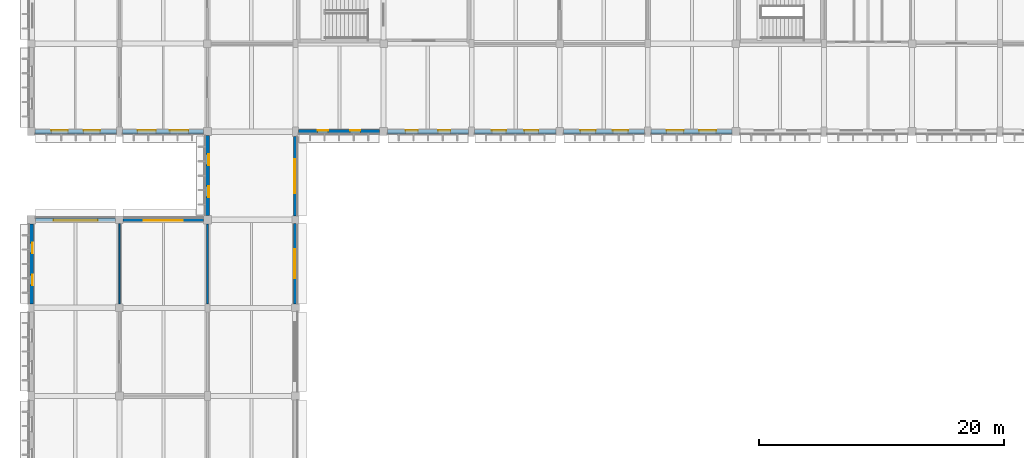
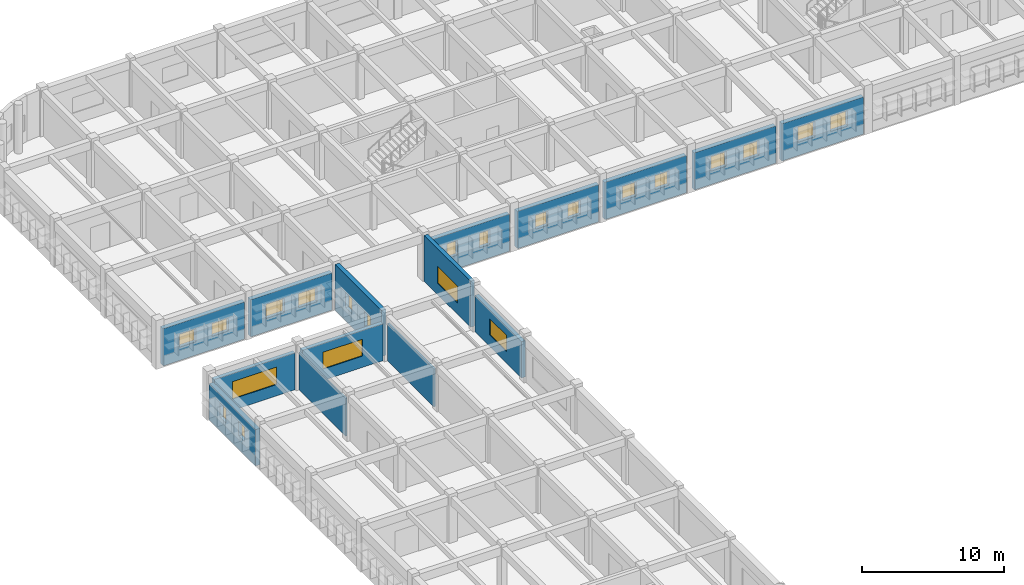
# One storey, part 23 of 38: 22 windows, 15 walls, 22 openings.
"""IFC4 building model written with IfcOpenShell, lengths in metres."""

import ifcopenshell
import ifcopenshell.guid

model = None  # the IFC model being written
_history = None  # IfcOwnerHistory: only IFC2X3 demands one
_inside = {}  # id of a spatial element -> (the spatial element, [elements in it])
_under = {}  # id of a project, library or spatial element -> (it, [spatial elements below it])
_declared = {}  # id of a project -> (the project, [libraries it declares])
_typed = {}  # id of a type object -> (the type object, [elements of that type])
_made_of = {}  # id of a material, layer set ... -> (it, [elements and type objects made of it])


def new_model(schema):
    """Start an empty IFC model of exactly this schema.

    Asked for "IFC4X3", IfcOpenShell would pick the latest addendum, in which some entities
    have other attributes; the version numbers below select the first issue.
    IFC2X3 requires an IfcOwnerHistory on every rooted entity: one is made here for all.
    """
    global model, _history
    if schema == "IFC4X3":
        model = ifcopenshell.file(schema_version=(4, 3, 0, 0))
    else:
        model = ifcopenshell.file(schema=schema)
    _inside.clear()
    _under.clear()
    _declared.clear()
    _typed.clear()
    _made_of.clear()
    _history = None
    if model.schema == "IFC2X3":
        org = make("IfcOrganization", Name="unknown")
        user = make(
            "IfcPersonAndOrganization",
            ThePerson=make("IfcPerson", FamilyName="unknown"),
            TheOrganization=org,
        )
        app = make(
            "IfcApplication",
            ApplicationDeveloper=org,
            Version="unknown",
            ApplicationFullName="unknown",
            ApplicationIdentifier="unknown",
        )
        _history = make(
            "IfcOwnerHistory",
            OwningUser=user,
            OwningApplication=app,
            ChangeAction="ADDED",
            CreationDate=0,
        )
    return model


def make(cls, **values):
    """One entity of the class cls with the attributes given. An attribute that is None is left unset."""
    return model.create_entity(
        cls, **{name: value for name, value in values.items() if value is not None}
    )


def rooted(cls, **values):
    """An entity with a GlobalId (a new one), such as an element, a storey or a relation."""
    return make(cls, GlobalId=ifcopenshell.guid.new(), OwnerHistory=_history, **values)


def si_unit(unit_type, name, prefix=None):
    """IfcSIUnit, for example si_unit("LENGTHUNIT", "METRE", prefix="MILLI")."""
    return make("IfcSIUnit", UnitType=unit_type, Prefix=prefix, Name=name)


def assignment(units):
    """IfcUnitAssignment: the units of a project."""
    return None if units is None else make("IfcUnitAssignment", Units=units)


def point(xyz):
    """IfcCartesianPoint."""
    return None if xyz is None else make("IfcCartesianPoint", Coordinates=xyz)


def direction(xyz):
    """IfcDirection."""
    return None if xyz is None else make("IfcDirection", DirectionRatios=xyz)


def frame(location, z_axis=None, x_axis=None):
    """IfcAxis2Placement3D, a coordinate frame: its origin and axes. An axis left out is left unset."""
    return make(
        "IfcAxis2Placement3D",
        Location=point(location),
        Axis=direction(z_axis),
        RefDirection=direction(x_axis),
    )


def frame_2d(location, x_axis=None):
    """IfcAxis2Placement2D, a coordinate frame in the plane: its origin and x axis."""
    return make(
        "IfcAxis2Placement2D", Location=point(location), RefDirection=direction(x_axis)
    )


def origin():
    """The frame at (0, 0, 0) with its axes left unset."""
    return frame((0.0, 0.0, 0.0))


def place(relative_to, where):
    """IfcLocalPlacement: puts the frame where relative to a parent placement (None: the world)."""
    return make(
        "IfcLocalPlacement", PlacementRelTo=relative_to, RelativePlacement=where
    )


def context(
    kind, dimensions, precision=None, world=None, true_north=None, identifier=None
):
    """IfcGeometricRepresentationContext, for example the 3D "Model" context."""
    return make(
        "IfcGeometricRepresentationContext",
        ContextIdentifier=identifier,
        ContextType=kind,
        CoordinateSpaceDimension=dimensions,
        Precision=precision,
        WorldCoordinateSystem=world,
        TrueNorth=true_north,
    )


def subcontext(parent, identifier, kind, view, scale=None):
    """IfcGeometricRepresentationSubContext, for example "Body" below "Model"."""
    return make(
        "IfcGeometricRepresentationSubContext",
        ContextIdentifier=identifier,
        ContextType=kind,
        ParentContext=parent,
        TargetScale=scale,
        TargetView=view,
    )


def project(units=None, contexts=None):
    """IfcProject with its units and contexts."""
    return rooted(
        "IfcProject",
        Name="project",
        RepresentationContexts=contexts,
        UnitsInContext=assignment(units),
    )


def spatial(cls, under=None, at=None, **own):
    """A site, building, storey or space (cls), placed at a placement, below another one or the project."""
    s = rooted(cls, ObjectPlacement=at, **own)
    if under is not None:
        _under.setdefault(under.id(), (under, []))[1].append(s)
    return s


def profile(cls, at=None, kind="AREA", **sizes):
    """A parametric profile (cls). Its sizes go by their IFC names, for example OverallWidth=200.0."""
    return make(cls, ProfileType=kind, Position=at, **sizes)


def rectangle(**sizes):
    """IfcRectangleProfileDef."""
    return profile("IfcRectangleProfileDef", **sizes)


def extrude(swept, where, along, depth):
    """IfcExtrudedAreaSolid: the profile swept, set in the frame where, extruded along a direction by depth."""
    return make(
        "IfcExtrudedAreaSolid",
        SweptArea=swept,
        Position=where,
        ExtrudedDirection=direction(along),
        Depth=depth,
    )


def shape(context_of_items, identifier, shape_type, items):
    """IfcShapeRepresentation: the items that make up one representation, for example the "Body"."""
    return make(
        "IfcShapeRepresentation",
        ContextOfItems=context_of_items,
        RepresentationIdentifier=identifier,
        RepresentationType=shape_type,
        Items=items,
    )


def material(Name=None, Category=None):
    """IfcMaterial."""
    return make("IfcMaterial", Name=Name, Category=Category)


def layer(
    of_material, thickness, ventilated=None, Name=None, Category=None, Priority=None
):
    """IfcMaterialLayer: one layer of a wall or slab, of a material (None: an air gap)."""
    return make(
        "IfcMaterialLayer",
        Material=of_material,
        LayerThickness=thickness,
        IsVentilated=ventilated,
        Name=Name,
        Category=Category,
        Priority=Priority,
    )


def layer_set(layers, Name=None):
    """IfcMaterialLayerSet."""
    return make("IfcMaterialLayerSet", MaterialLayers=layers, LayerSetName=Name)


def made_of(thing, what):
    """Note that an element or type object is made of a material, layer set ...; save() writes the relation."""
    if what is not None:
        _made_of.setdefault(what.id(), (what, []))[1].append(thing)
    return thing


def type_object(cls, material=None, **own):
    """A type object (cls), such as IfcWallType, which elements share."""
    return made_of(rooted(cls, **own), material)


def element(
    cls,
    number,
    at=None,
    inside=None,
    cuts=None,
    type_object=None,
    material=None,
    context=None,
    identifier="Body",
    shape_type=None,
    held_by="IfcProductDefinitionShape",
    body=None,
    shapes=None,
    **own,
):
    """One element of the class cls, such as IfcWall. Its Tag is "e" and its number.

    at: its placement. inside: the storey or other place that contains it. cuts: it is an
    opening in that element (IfcRelVoidsElement). A single representation is given by context,
    identifier, shape_type and body (its items); several are given by shapes. held_by: the class
    of the entity that holds the representations. save() writes the other relations.
    """
    e = rooted(cls, Tag="e%d" % number, ObjectPlacement=at, **own)
    if body is not None:
        shapes = [shape(context, identifier, shape_type, body)]
    if shapes is not None:
        e.Representation = make(held_by, Representations=shapes)
    if inside is not None:
        _inside.setdefault(inside.id(), (inside, []))[1].append(e)
    if cuts is not None:
        rooted(
            "IfcRelVoidsElement", RelatingBuildingElement=cuts, RelatedOpeningElement=e
        )
    if type_object is not None:
        _typed.setdefault(type_object.id(), (type_object, []))[1].append(e)
    return made_of(e, material)


def fill(opening, filler):
    """IfcRelFillsElement: the door or window that sits in an opening."""
    return rooted(
        "IfcRelFillsElement",
        RelatingOpeningElement=opening,
        RelatedBuildingElement=filler,
    )


def aggregate(whole, parts):
    """IfcRelAggregates: a whole, such as a stair, and the parts it consists of."""
    return rooted("IfcRelAggregates", RelatingObject=whole, RelatedObjects=parts)


def save(model, path):
    """Write the relations noted so far, then the file.

    IfcRelAggregates (storeys below a building ...), IfcRelContainedInSpatialStructure (elements
    in a storey), IfcRelDefinesByType, IfcRelAssociatesMaterial and IfcRelDeclares: one each for
    every whole, place, type object, material and project.
    """
    for whole, parts in _under.values():
        aggregate(whole, parts)
    for where, things in _inside.values():
        rooted(
            "IfcRelContainedInSpatialStructure",
            RelatedElements=things,
            RelatingStructure=where,
        )
    for kind, things in _typed.values():
        rooted("IfcRelDefinesByType", RelatedObjects=things, RelatingType=kind)
    for what, things in _made_of.values():
        rooted("IfcRelAssociatesMaterial", RelatedObjects=things, RelatingMaterial=what)
    for by, libraries in _declared.values():
        rooted("IfcRelDeclares", RelatingContext=by, RelatedDefinitions=libraries)
    model.write(path)


model = new_model("IFC4")

# Units and contexts
model_context = context("Model", 3, precision=1e-05, world=origin(), true_north=direction((0.0, 1.0)))
body_context = subcontext(model_context, "Body", "Model", "MODEL_VIEW")
ifc_project = project(units=[si_unit("LENGTHUNIT", "METRE"), si_unit("AREAUNIT", "SQUARE_METRE"), si_unit("VOLUMEUNIT", "CUBIC_METRE"), si_unit("PLANEANGLEUNIT", "RADIAN"), si_unit("MASSUNIT", "GRAM", prefix="KILO")], contexts=[model_context])

# Site, building, storey
site_placement = place(None, origin())
site = spatial("IfcSite", under=ifc_project, at=site_placement, CompositionType="ELEMENT")
building_placement = place(site_placement, origin())
building = spatial("IfcBuilding", under=site, at=building_placement, Name="Thalmaran Polytechnic", CompositionType="ELEMENT")
storey_placement = place(building_placement, frame((0.0, 0.0, 18.60009765625)))
storey = spatial("IfcBuildingStorey", under=building, at=storey_placement, Name="L04", CompositionType="ELEMENT", Elevation=18.60009765625)

# Wall, openings, windows
ifc_material_1 = material(Name="Precast concrete C40/50", Category="concrete")
ifc_layer_1 = layer(ifc_material_1, 0.360107421875, Name="Precast concrete C40/50")
ifc_layer_set_1 = layer_set([ifc_layer_1], Name="Precast concrete C40/50")
wall_type_1 = type_object("IfcWallType", Name="WL-EW01", PredefinedType="STANDARD", material=ifc_layer_set_1)
wall_1_placement = place(storey_placement, frame((0.0, 79.52001953125, 0.0), z_axis=(0.0, 0.0, 1.0), x_axis=(0.0, 1.0, 0.0)))
wall_1 = element("IfcWall", 1, at=wall_1_placement, inside=storey, type_object=wall_type_1, Name="Exterior Precast Facade Wall L04-036", PredefinedType="STANDARD", context=body_context, shape_type="SweptSolid", body=[
    extrude(rectangle(XDim=6.5400390625, YDim=0.360107421875, at=frame_2d((3.27001953125, 0.0))), origin(), (0.0, 0.0, 1.0), 3.1298828125),
])
opening_1_placement = place(wall_1_placement, frame((1.537109375, 0.0, 1.14990234375)))
opening_1 = element("IfcOpeningElement", 2, at=opening_1_placement, cuts=wall_1, Name="Opening VW14", PredefinedType="OPENING", context=body_context, shape_type="SweptSolid", body=[
    extrude(rectangle(XDim=0.85009765625, YDim=1.25, at=frame_2d((0.425048828125, 0.625))), frame((0.0, 0.18994140625, 0.0), z_axis=(0.0, -1.0, 0.0), x_axis=(1.0, 0.0, 0.0)), (0.0, 0.0, 1.0), 0.380126953125),
])
opening_2_placement = place(wall_1_placement, frame((4.153076171875, 0.0, 1.14990234375)))
opening_2 = element("IfcOpeningElement", 3, at=opening_2_placement, cuts=wall_1, Name="Opening VW14", PredefinedType="OPENING", context=body_context, shape_type="SweptSolid", body=[
    extrude(rectangle(XDim=0.85009765625, YDim=1.25, at=frame_2d((0.425048828125, 0.625))), frame((0.0, 0.18994140625, 0.0), z_axis=(0.0, -1.0, 0.0), x_axis=(1.0, 0.0, 0.0)), (0.0, 0.0, 1.0), 0.380126953125),
])
ifc_material_2 = material(Name="Thermally broken aluminium and double low-E glass", Category="aluminium")
window_type_1 = type_object("IfcWindowType", Name="WN-VZ14", PartitioningType="SINGLE_PANEL", PredefinedType="WINDOW", material=ifc_material_2)
window_1_placement = place(opening_1_placement, origin())
window_1 = element("IfcWindow", 4, at=window_1_placement, inside=storey, type_object=window_type_1, Name="Deep-Set Solar-Screened Window W-0568", OverallHeight=1.25, OverallWidth=0.85009765625, PartitioningType="SINGLE_PANEL", PredefinedType="WINDOW", context=body_context, shape_type="SweptSolid", body=[
    extrude(rectangle(XDim=0.85009765625, YDim=1.25, at=frame_2d((0.425048828125, 0.625))), frame((0.0, -0.080078125, 0.0), z_axis=(0.0, -1.0, 0.0), x_axis=(1.0, 0.0, 0.0)), (0.0, 0.0, 1.0), 0.06005859375),
])
fill(opening_1, window_1)
window_2_placement = place(opening_2_placement, origin())
window_2 = element("IfcWindow", 5, at=window_2_placement, inside=storey, type_object=window_type_1, Name="Deep-Set Solar-Screened Window W-0569", OverallHeight=1.25, OverallWidth=0.85009765625, PartitioningType="SINGLE_PANEL", PredefinedType="WINDOW", context=body_context, shape_type="SweptSolid", body=[
    extrude(rectangle(XDim=0.85009765625, YDim=1.25, at=frame_2d((0.425048828125, 0.625))), frame((0.0, -0.080078125, 0.0), z_axis=(0.0, -1.0, 0.0), x_axis=(1.0, 0.0, 0.0)), (0.0, 0.0, 1.0), 0.06005859375),
])
fill(opening_2, window_2)

wall_2_placement = place(storey_placement, frame((14.39990234375, 86.739990234375, 0.0), z_axis=(0.0, 0.0, 1.0), x_axis=(0.0, 1.0, 0.0)))
wall_2 = element("IfcWall", 6, at=wall_2_placement, inside=storey, type_object=wall_type_1, Name="Exterior Precast Facade Wall L04-039", PredefinedType="STANDARD", context=body_context, shape_type="SweptSolid", body=[
    extrude(rectangle(XDim=6.534912109375, YDim=0.360107421875, at=frame_2d((3.267578125, 0.0))), origin(), (0.0, 0.0, 1.0), 3.954833984375),
])
opening_3_placement = place(wall_2_placement, frame((1.510498046875, 0.0, 1.14990234375)))
opening_3 = element("IfcOpeningElement", 7, at=opening_3_placement, cuts=wall_2, Name="Opening PW13", PredefinedType="OPENING", context=body_context, shape_type="SweptSolid", body=[
    extrude(rectangle(XDim=0.89990234375, YDim=1.300048828125, at=frame_2d((0.449951171875, 0.64990234375))), frame((0.0, 0.18994140625, 0.0), z_axis=(0.0, -1.0, 0.0), x_axis=(1.0, 0.0, 0.0)), (0.0, 0.0, 1.0), 0.380126953125),
])
opening_4_placement = place(wall_2_placement, frame((4.12451171875, 0.0, 1.14990234375)))
opening_4 = element("IfcOpeningElement", 8, at=opening_4_placement, cuts=wall_2, Name="Opening PW13", PredefinedType="OPENING", context=body_context, shape_type="SweptSolid", body=[
    extrude(rectangle(XDim=0.89990234375, YDim=1.300048828125, at=frame_2d((0.449951171875, 0.64990234375))), frame((0.0, 0.18994140625, 0.0), z_axis=(0.0, -1.0, 0.0), x_axis=(1.0, 0.0, 0.0)), (0.0, 0.0, 1.0), 0.380126953125),
])
window_type_2 = type_object("IfcWindowType", Name="WN-PW03", PartitioningType="SINGLE_PANEL", PredefinedType="WINDOW", material=ifc_material_2)
window_3_placement = place(opening_3_placement, origin())
window_3 = element("IfcWindow", 9, at=window_3_placement, inside=storey, type_object=window_type_2, Name="Deep-Set Solar-Screened Window W-0572", OverallHeight=1.300048828125, OverallWidth=0.89990234375, PartitioningType="SINGLE_PANEL", PredefinedType="WINDOW", context=body_context, shape_type="SweptSolid", body=[
    extrude(rectangle(XDim=0.89990234375, YDim=1.300048828125, at=frame_2d((0.449951171875, 0.64990234375))), frame((0.0, -0.080078125, 0.0), z_axis=(0.0, -1.0, 0.0), x_axis=(1.0, 0.0, 0.0)), (0.0, 0.0, 1.0), 0.06005859375),
])
fill(opening_3, window_3)
window_4_placement = place(opening_4_placement, origin())
window_4 = element("IfcWindow", 10, at=window_4_placement, inside=storey, type_object=window_type_2, Name="Deep-Set Solar-Screened Window W-0573", OverallHeight=1.300048828125, OverallWidth=0.89990234375, PartitioningType="SINGLE_PANEL", PredefinedType="WINDOW", context=body_context, shape_type="SweptSolid", body=[
    extrude(rectangle(XDim=0.89990234375, YDim=1.300048828125, at=frame_2d((0.449951171875, 0.64990234375))), frame((0.0, -0.080078125, 0.0), z_axis=(0.0, -1.0, 0.0), x_axis=(1.0, 0.0, 0.0)), (0.0, 0.0, 1.0), 0.06005859375),
])
fill(opening_4, window_4)

wall_3_placement = place(storey_placement, frame((14.074951171875, 93.60009765625, 0.0), z_axis=(0.0, 0.0, 1.0), x_axis=(-1.0, 0.0, 0.0)))
wall_3 = element("IfcWall", 11, at=wall_3_placement, inside=storey, type_object=wall_type_1, Name="Exterior Precast Facade Wall L04-040", PredefinedType="STANDARD", context=body_context, shape_type="SweptSolid", body=[
    extrude(rectangle(XDim=6.625, YDim=0.360107421875, at=frame_2d((3.3125, 0.0))), origin(), (0.0, 0.0, 1.0), 3.199951171875),
])
opening_5_placement = place(wall_3_placement, frame((1.237548828125, 0.0, 1.14990234375)))
opening_5 = element("IfcOpeningElement", 12, at=opening_5_placement, cuts=wall_3, Name="Opening PW14", PredefinedType="OPENING", context=body_context, shape_type="SweptSolid", body=[
    extrude(rectangle(XDim=1.5, YDim=1.199951171875, at=frame_2d((0.75, 0.60009765625))), frame((0.0, 0.18994140625, 0.0), z_axis=(0.0, -1.0, 0.0), x_axis=(1.0, 0.0, 0.0)), (0.0, 0.0, 1.0), 0.380126953125),
])
opening_6_placement = place(wall_3_placement, frame((3.887451171875, 0.0, 1.14990234375)))
opening_6 = element("IfcOpeningElement", 13, at=opening_6_placement, cuts=wall_3, Name="Opening PW14", PredefinedType="OPENING", context=body_context, shape_type="SweptSolid", body=[
    extrude(rectangle(XDim=1.5, YDim=1.199951171875, at=frame_2d((0.75, 0.60009765625))), frame((0.0, 0.18994140625, 0.0), z_axis=(0.0, -1.0, 0.0), x_axis=(1.0, 0.0, 0.0)), (0.0, 0.0, 1.0), 0.380126953125),
])
window_type_3 = type_object("IfcWindowType", Name="WN-PW04", PartitioningType="DOUBLE_PANEL_VERTICAL", PredefinedType="WINDOW", material=ifc_material_2)
window_5_placement = place(opening_5_placement, origin())
window_5 = element("IfcWindow", 14, at=window_5_placement, inside=storey, type_object=window_type_3, Name="Deep-Set Solar-Screened Window W-0574", OverallHeight=1.199951171875, OverallWidth=1.5, PartitioningType="SINGLE_PANEL", PredefinedType="WINDOW", context=body_context, shape_type="SweptSolid", body=[
    extrude(rectangle(XDim=1.5, YDim=1.199951171875, at=frame_2d((0.75, 0.60009765625))), frame((0.0, -0.080078125, 0.0), z_axis=(0.0, -1.0, 0.0), x_axis=(1.0, 0.0, 0.0)), (0.0, 0.0, 1.0), 0.06005859375),
])
fill(opening_5, window_5)
window_6_placement = place(opening_6_placement, origin())
window_6 = element("IfcWindow", 15, at=window_6_placement, inside=storey, type_object=window_type_3, Name="Deep-Set Solar-Screened Window W-0575", OverallHeight=1.199951171875, OverallWidth=1.5, PartitioningType="SINGLE_PANEL", PredefinedType="WINDOW", context=body_context, shape_type="SweptSolid", body=[
    extrude(rectangle(XDim=1.5, YDim=1.199951171875, at=frame_2d((0.75, 0.60009765625))), frame((0.0, -0.080078125, 0.0), z_axis=(0.0, -1.0, 0.0), x_axis=(1.0, 0.0, 0.0)), (0.0, 0.0, 1.0), 0.06005859375),
])
fill(opening_6, window_6)

wall_4_placement = place(storey_placement, frame((6.949951171875, 93.60009765625, 0.0), z_axis=(0.0, 0.0, 1.0), x_axis=(-1.0, 0.0, 0.0)))
wall_4 = element("IfcWall", 16, at=wall_4_placement, inside=storey, type_object=wall_type_1, Name="Exterior Precast Facade Wall L04-041", PredefinedType="STANDARD", context=body_context, shape_type="SweptSolid", body=[
    extrude(rectangle(XDim=6.625, YDim=0.360107421875, at=frame_2d((3.3125, 0.0))), origin(), (0.0, 0.0, 1.0), 3.199951171875),
])
opening_7_placement = place(wall_4_placement, frame((1.3125, 0.0, 1.14990234375)))
opening_7 = element("IfcOpeningElement", 17, at=opening_7_placement, cuts=wall_4, Name="Opening PW15", PredefinedType="OPENING", context=body_context, shape_type="SweptSolid", body=[
    extrude(rectangle(XDim=1.35009765625, YDim=1.10009765625, at=frame_2d((0.675048828125, 0.550048828125))), frame((0.0, 0.18994140625, 0.0), z_axis=(0.0, -1.0, 0.0), x_axis=(1.0, 0.0, 0.0)), (0.0, 0.0, 1.0), 0.380126953125),
])
opening_8_placement = place(wall_4_placement, frame((3.96240234375, 0.0, 1.14990234375)))
opening_8 = element("IfcOpeningElement", 18, at=opening_8_placement, cuts=wall_4, Name="Opening PW15", PredefinedType="OPENING", context=body_context, shape_type="SweptSolid", body=[
    extrude(rectangle(XDim=1.35009765625, YDim=1.10009765625, at=frame_2d((0.675048828125, 0.550048828125))), frame((0.0, 0.18994140625, 0.0), z_axis=(0.0, -1.0, 0.0), x_axis=(1.0, 0.0, 0.0)), (0.0, 0.0, 1.0), 0.380126953125),
])
window_type_4 = type_object("IfcWindowType", Name="WN-PW05", PartitioningType="SINGLE_PANEL", PredefinedType="WINDOW", material=ifc_material_2)
window_7_placement = place(opening_7_placement, origin())
window_7 = element("IfcWindow", 19, at=window_7_placement, inside=storey, type_object=window_type_4, Name="Deep-Set Solar-Screened Window W-0576", OverallHeight=1.10009765625, OverallWidth=1.35009765625, PartitioningType="SINGLE_PANEL", PredefinedType="WINDOW", context=body_context, shape_type="SweptSolid", body=[
    extrude(rectangle(XDim=1.35009765625, YDim=1.10009765625, at=frame_2d((0.675048828125, 0.550048828125))), frame((0.0, -0.080078125, 0.0), z_axis=(0.0, -1.0, 0.0), x_axis=(1.0, 0.0, 0.0)), (0.0, 0.0, 1.0), 0.06005859375),
])
fill(opening_7, window_7)
window_8_placement = place(opening_8_placement, origin())
window_8 = element("IfcWindow", 20, at=window_8_placement, inside=storey, type_object=window_type_4, Name="Deep-Set Solar-Screened Window W-0577", OverallHeight=1.10009765625, OverallWidth=1.35009765625, PartitioningType="SINGLE_PANEL", PredefinedType="WINDOW", context=body_context, shape_type="SweptSolid", body=[
    extrude(rectangle(XDim=1.35009765625, YDim=1.10009765625, at=frame_2d((0.675048828125, 0.550048828125))), frame((0.0, -0.080078125, 0.0), z_axis=(0.0, -1.0, 0.0), x_axis=(1.0, 0.0, 0.0)), (0.0, 0.0, 1.0), 0.06005859375),
])
fill(opening_8, window_8)

wall_5_placement = place(storey_placement, frame((57.27490234375, 93.60009765625, 0.0), z_axis=(0.0, 0.0, 1.0), x_axis=(-1.0, 0.0, 0.0)))
wall_5 = element("IfcWall", 21, at=wall_5_placement, inside=storey, type_object=wall_type_1, Name="Exterior Precast Facade Wall L04-074", PredefinedType="STANDARD", context=body_context, shape_type="SweptSolid", body=[
    extrude(rectangle(XDim=6.625, YDim=0.360107421875, at=frame_2d((3.3125, 0.0))), origin(), (0.0, 0.0, 1.0), 3.199951171875),
])
opening_9_placement = place(wall_5_placement, frame((1.28759765625, 0.0, 1.14990234375)))
opening_9 = element("IfcOpeningElement", 22, at=opening_9_placement, cuts=wall_5, Name="Opening VW10", PredefinedType="OPENING", context=body_context, shape_type="SweptSolid", body=[
    extrude(rectangle(XDim=1.39990234375, YDim=1.300048828125, at=frame_2d((0.699951171875, 0.64990234375))), frame((0.0, 0.18994140625, 0.0), z_axis=(0.0, -1.0, 0.0), x_axis=(1.0, 0.0, 0.0)), (0.0, 0.0, 1.0), 0.380126953125),
])
opening_10_placement = place(wall_5_placement, frame((3.9375, 0.0, 1.14990234375)))
opening_10 = element("IfcOpeningElement", 23, at=opening_10_placement, cuts=wall_5, Name="Opening VW10", PredefinedType="OPENING", context=body_context, shape_type="SweptSolid", body=[
    extrude(rectangle(XDim=1.39990234375, YDim=1.300048828125, at=frame_2d((0.699951171875, 0.64990234375))), frame((0.0, 0.18994140625, 0.0), z_axis=(0.0, -1.0, 0.0), x_axis=(1.0, 0.0, 0.0)), (0.0, 0.0, 1.0), 0.380126953125),
])
window_type_5 = type_object("IfcWindowType", Name="WN-VZ10", PartitioningType="SINGLE_PANEL", PredefinedType="WINDOW", material=ifc_material_2)
window_9_placement = place(opening_9_placement, origin())
window_9 = element("IfcWindow", 24, at=window_9_placement, inside=storey, type_object=window_type_5, Name="Deep-Set Solar-Screened Window W-0614", OverallHeight=1.300048828125, OverallWidth=1.39990234375, PartitioningType="SINGLE_PANEL", PredefinedType="WINDOW", context=body_context, shape_type="SweptSolid", body=[
    extrude(rectangle(XDim=1.39990234375, YDim=1.300048828125, at=frame_2d((0.699951171875, 0.64990234375))), frame((0.0, -0.080078125, 0.0), z_axis=(0.0, -1.0, 0.0), x_axis=(1.0, 0.0, 0.0)), (0.0, 0.0, 1.0), 0.06005859375),
])
fill(opening_9, window_9)
window_10_placement = place(opening_10_placement, origin())
window_10 = element("IfcWindow", 25, at=window_10_placement, inside=storey, type_object=window_type_5, Name="Deep-Set Solar-Screened Window W-0615", OverallHeight=1.300048828125, OverallWidth=1.39990234375, PartitioningType="SINGLE_PANEL", PredefinedType="WINDOW", context=body_context, shape_type="SweptSolid", body=[
    extrude(rectangle(XDim=1.39990234375, YDim=1.300048828125, at=frame_2d((0.699951171875, 0.64990234375))), frame((0.0, -0.080078125, 0.0), z_axis=(0.0, -1.0, 0.0), x_axis=(1.0, 0.0, 0.0)), (0.0, 0.0, 1.0), 0.06005859375),
])
fill(opening_10, window_10)

wall_6_placement = place(storey_placement, frame((50.14990234375, 93.60009765625, 0.0), z_axis=(0.0, 0.0, 1.0), x_axis=(-1.0, 0.0, 0.0)))
wall_6 = element("IfcWall", 26, at=wall_6_placement, inside=storey, type_object=wall_type_1, Name="Exterior Precast Facade Wall L04-075", PredefinedType="STANDARD", context=body_context, shape_type="SweptSolid", body=[
    extrude(rectangle(XDim=6.625, YDim=0.360107421875, at=frame_2d((3.3125, 0.0))), origin(), (0.0, 0.0, 1.0), 3.199951171875),
])
opening_11_placement = place(wall_6_placement, frame((1.362548828125, 0.0, 1.14990234375)))
opening_11 = element("IfcOpeningElement", 27, at=opening_11_placement, cuts=wall_6, Name="Opening VW11", PredefinedType="OPENING", context=body_context, shape_type="SweptSolid", body=[
    extrude(rectangle(XDim=1.25, YDim=1.25, at=frame_2d((0.625, 0.625))), frame((0.0, 0.18994140625, 0.0), z_axis=(0.0, -1.0, 0.0), x_axis=(1.0, 0.0, 0.0)), (0.0, 0.0, 1.0), 0.380126953125),
])
opening_12_placement = place(wall_6_placement, frame((4.012451171875, 0.0, 1.14990234375)))
opening_12 = element("IfcOpeningElement", 28, at=opening_12_placement, cuts=wall_6, Name="Opening VW11", PredefinedType="OPENING", context=body_context, shape_type="SweptSolid", body=[
    extrude(rectangle(XDim=1.25, YDim=1.25, at=frame_2d((0.625, 0.625))), frame((0.0, 0.18994140625, 0.0), z_axis=(0.0, -1.0, 0.0), x_axis=(1.0, 0.0, 0.0)), (0.0, 0.0, 1.0), 0.380126953125),
])
window_type_6 = type_object("IfcWindowType", Name="WN-VZ11", PartitioningType="SINGLE_PANEL", PredefinedType="WINDOW", material=ifc_material_2)
window_11_placement = place(opening_11_placement, origin())
window_11 = element("IfcWindow", 29, at=window_11_placement, inside=storey, type_object=window_type_6, Name="Deep-Set Solar-Screened Window W-0616", OverallHeight=1.25, OverallWidth=1.25, PartitioningType="SINGLE_PANEL", PredefinedType="WINDOW", context=body_context, shape_type="SweptSolid", body=[
    extrude(rectangle(XDim=1.25, YDim=1.25, at=frame_2d((0.625, 0.625))), frame((0.0, -0.080078125, 0.0), z_axis=(0.0, -1.0, 0.0), x_axis=(1.0, 0.0, 0.0)), (0.0, 0.0, 1.0), 0.06005859375),
])
fill(opening_11, window_11)
window_12_placement = place(opening_12_placement, origin())
window_12 = element("IfcWindow", 30, at=window_12_placement, inside=storey, type_object=window_type_6, Name="Deep-Set Solar-Screened Window W-0617", OverallHeight=1.25, OverallWidth=1.25, PartitioningType="SINGLE_PANEL", PredefinedType="WINDOW", context=body_context, shape_type="SweptSolid", body=[
    extrude(rectangle(XDim=1.25, YDim=1.25, at=frame_2d((0.625, 0.625))), frame((0.0, -0.080078125, 0.0), z_axis=(0.0, -1.0, 0.0), x_axis=(1.0, 0.0, 0.0)), (0.0, 0.0, 1.0), 0.06005859375),
])
fill(opening_12, window_12)

wall_7_placement = place(storey_placement, frame((42.875, 93.60009765625, 0.0), z_axis=(0.0, 0.0, 1.0), x_axis=(-1.0, 0.0, 0.0)))
wall_7 = element("IfcWall", 31, at=wall_7_placement, inside=storey, type_object=wall_type_1, Name="Exterior Precast Facade Wall L04-076", PredefinedType="STANDARD", context=body_context, shape_type="SweptSolid", body=[
    extrude(rectangle(XDim=6.625, YDim=0.360107421875, at=frame_2d((3.3125, 0.0))), origin(), (0.0, 0.0, 1.0), 3.199951171875),
])
opening_13_placement = place(wall_7_placement, frame((1.41259765625, 0.0, 1.14990234375)))
opening_13 = element("IfcOpeningElement", 32, at=opening_13_placement, cuts=wall_7, Name="Opening VW12", PredefinedType="OPENING", context=body_context, shape_type="SweptSolid", body=[
    extrude(rectangle(XDim=1.14990234375, YDim=1.199951171875, at=frame_2d((0.574951171875, 0.60009765625))), frame((0.0, 0.18994140625, 0.0), z_axis=(0.0, -1.0, 0.0), x_axis=(1.0, 0.0, 0.0)), (0.0, 0.0, 1.0), 0.380126953125),
])
opening_14_placement = place(wall_7_placement, frame((4.0625, 0.0, 1.14990234375)))
opening_14 = element("IfcOpeningElement", 33, at=opening_14_placement, cuts=wall_7, Name="Opening VW12", PredefinedType="OPENING", context=body_context, shape_type="SweptSolid", body=[
    extrude(rectangle(XDim=1.14990234375, YDim=1.199951171875, at=frame_2d((0.574951171875, 0.60009765625))), frame((0.0, 0.18994140625, 0.0), z_axis=(0.0, -1.0, 0.0), x_axis=(1.0, 0.0, 0.0)), (0.0, 0.0, 1.0), 0.380126953125),
])
window_type_7 = type_object("IfcWindowType", Name="WN-VZ12", PartitioningType="SINGLE_PANEL", PredefinedType="WINDOW", material=ifc_material_2)
window_13_placement = place(opening_13_placement, origin())
window_13 = element("IfcWindow", 34, at=window_13_placement, inside=storey, type_object=window_type_7, Name="Deep-Set Solar-Screened Window W-0618", OverallHeight=1.199951171875, OverallWidth=1.14990234375, PartitioningType="SINGLE_PANEL", PredefinedType="WINDOW", context=body_context, shape_type="SweptSolid", body=[
    extrude(rectangle(XDim=1.14990234375, YDim=1.199951171875, at=frame_2d((0.574951171875, 0.60009765625))), frame((0.0, -0.080078125, 0.0), z_axis=(0.0, -1.0, 0.0), x_axis=(1.0, 0.0, 0.0)), (0.0, 0.0, 1.0), 0.06005859375),
])
fill(opening_13, window_13)
window_14_placement = place(opening_14_placement, origin())
window_14 = element("IfcWindow", 35, at=window_14_placement, inside=storey, type_object=window_type_7, Name="Deep-Set Solar-Screened Window W-0619", OverallHeight=1.199951171875, OverallWidth=1.14990234375, PartitioningType="SINGLE_PANEL", PredefinedType="WINDOW", context=body_context, shape_type="SweptSolid", body=[
    extrude(rectangle(XDim=1.14990234375, YDim=1.199951171875, at=frame_2d((0.574951171875, 0.60009765625))), frame((0.0, -0.080078125, 0.0), z_axis=(0.0, -1.0, 0.0), x_axis=(1.0, 0.0, 0.0)), (0.0, 0.0, 1.0), 0.06005859375),
])
fill(opening_14, window_14)

wall_8_placement = place(storey_placement, frame((35.75, 93.60009765625, 0.0), z_axis=(0.0, 0.0, 1.0), x_axis=(-1.0, 0.0, 0.0)))
wall_8 = element("IfcWall", 36, at=wall_8_placement, inside=storey, type_object=wall_type_1, Name="Exterior Precast Facade Wall L04-077", PredefinedType="STANDARD", context=body_context, shape_type="SweptSolid", body=[
    extrude(rectangle(XDim=6.625, YDim=0.360107421875, at=frame_2d((3.3125, 0.0))), origin(), (0.0, 0.0, 1.0), 3.199951171875),
])
opening_15_placement = place(wall_8_placement, frame((1.487548828125, 0.0, 1.14990234375)))
opening_15 = element("IfcOpeningElement", 37, at=opening_15_placement, cuts=wall_8, Name="Opening VW13", PredefinedType="OPENING", context=body_context, shape_type="SweptSolid", body=[
    extrude(rectangle(XDim=1.0, YDim=1.199951171875, at=frame_2d((0.5, 0.60009765625))), frame((0.0, 0.18994140625, 0.0), z_axis=(0.0, -1.0, 0.0), x_axis=(1.0, 0.0, 0.0)), (0.0, 0.0, 1.0), 0.380126953125),
])
opening_16_placement = place(wall_8_placement, frame((4.137451171875, 0.0, 1.14990234375)))
opening_16 = element("IfcOpeningElement", 38, at=opening_16_placement, cuts=wall_8, Name="Opening VW13", PredefinedType="OPENING", context=body_context, shape_type="SweptSolid", body=[
    extrude(rectangle(XDim=1.0, YDim=1.199951171875, at=frame_2d((0.5, 0.60009765625))), frame((0.0, 0.18994140625, 0.0), z_axis=(0.0, -1.0, 0.0), x_axis=(1.0, 0.0, 0.0)), (0.0, 0.0, 1.0), 0.380126953125),
])
window_type_8 = type_object("IfcWindowType", Name="WN-VZ13", PartitioningType="SINGLE_PANEL", PredefinedType="WINDOW", material=ifc_material_2)
window_15_placement = place(opening_15_placement, origin())
window_15 = element("IfcWindow", 39, at=window_15_placement, inside=storey, type_object=window_type_8, Name="Deep-Set Solar-Screened Window W-0620", OverallHeight=1.199951171875, OverallWidth=1.0, PartitioningType="SINGLE_PANEL", PredefinedType="WINDOW", context=body_context, shape_type="SweptSolid", body=[
    extrude(rectangle(XDim=1.0, YDim=1.199951171875, at=frame_2d((0.5, 0.60009765625))), frame((0.0, -0.080078125, 0.0), z_axis=(0.0, -1.0, 0.0), x_axis=(1.0, 0.0, 0.0)), (0.0, 0.0, 1.0), 0.06005859375),
])
fill(opening_15, window_15)
window_16_placement = place(opening_16_placement, origin())
window_16 = element("IfcWindow", 40, at=window_16_placement, inside=storey, type_object=window_type_8, Name="Deep-Set Solar-Screened Window W-0621", OverallHeight=1.199951171875, OverallWidth=1.0, PartitioningType="SINGLE_PANEL", PredefinedType="WINDOW", context=body_context, shape_type="SweptSolid", body=[
    extrude(rectangle(XDim=1.0, YDim=1.199951171875, at=frame_2d((0.5, 0.60009765625))), frame((0.0, -0.080078125, 0.0), z_axis=(0.0, -1.0, 0.0), x_axis=(1.0, 0.0, 0.0)), (0.0, 0.0, 1.0), 0.06005859375),
])
fill(opening_16, window_16)

wall_9_placement = place(storey_placement, frame((28.47509765625, 93.60009765625, 0.0), z_axis=(0.0, 0.0, 1.0), x_axis=(-1.0, 0.0, 0.0)))
wall_9 = element("IfcWall", 41, at=wall_9_placement, inside=storey, type_object=wall_type_1, Name="Exterior Precast Facade Wall L04-078", PredefinedType="STANDARD", context=body_context, shape_type="SweptSolid", body=[
    extrude(rectangle(XDim=6.625, YDim=0.360107421875, at=frame_2d((3.3125, 0.0))), origin(), (0.0, 0.0, 1.0), 3.199951171875),
])
opening_17_placement = place(wall_9_placement, frame((1.5625, 0.0, 1.14990234375)))
opening_17 = element("IfcOpeningElement", 42, at=opening_17_placement, cuts=wall_9, Name="Opening VW14", PredefinedType="OPENING", context=body_context, shape_type="SweptSolid", body=[
    extrude(rectangle(XDim=0.85009765625, YDim=1.25, at=frame_2d((0.425048828125, 0.625))), frame((0.0, 0.18994140625, 0.0), z_axis=(0.0, -1.0, 0.0), x_axis=(1.0, 0.0, 0.0)), (0.0, 0.0, 1.0), 0.380126953125),
])
opening_18_placement = place(wall_9_placement, frame((4.21240234375, 0.0, 1.14990234375)))
opening_18 = element("IfcOpeningElement", 43, at=opening_18_placement, cuts=wall_9, Name="Opening VW14", PredefinedType="OPENING", context=body_context, shape_type="SweptSolid", body=[
    extrude(rectangle(XDim=0.85009765625, YDim=1.25, at=frame_2d((0.425048828125, 0.625))), frame((0.0, 0.18994140625, 0.0), z_axis=(0.0, -1.0, 0.0), x_axis=(1.0, 0.0, 0.0)), (0.0, 0.0, 1.0), 0.380126953125),
])
window_17_placement = place(opening_17_placement, origin())
window_17 = element("IfcWindow", 44, at=window_17_placement, inside=storey, type_object=window_type_1, Name="Deep-Set Solar-Screened Window W-0622", OverallHeight=1.25, OverallWidth=0.85009765625, PartitioningType="SINGLE_PANEL", PredefinedType="WINDOW", context=body_context, shape_type="SweptSolid", body=[
    extrude(rectangle(XDim=0.85009765625, YDim=1.25, at=frame_2d((0.425048828125, 0.625))), frame((0.0, -0.080078125, 0.0), z_axis=(0.0, -1.0, 0.0), x_axis=(1.0, 0.0, 0.0)), (0.0, 0.0, 1.0), 0.06005859375),
])
fill(opening_17, window_17)
window_18_placement = place(opening_18_placement, origin())
window_18 = element("IfcWindow", 45, at=window_18_placement, inside=storey, type_object=window_type_1, Name="Deep-Set Solar-Screened Window W-0623", OverallHeight=1.25, OverallWidth=0.85009765625, PartitioningType="SINGLE_PANEL", PredefinedType="WINDOW", context=body_context, shape_type="SweptSolid", body=[
    extrude(rectangle(XDim=0.85009765625, YDim=1.25, at=frame_2d((0.425048828125, 0.625))), frame((0.0, -0.080078125, 0.0), z_axis=(0.0, -1.0, 0.0), x_axis=(1.0, 0.0, 0.0)), (0.0, 0.0, 1.0), 0.06005859375),
])
fill(opening_18, window_18)

# Wall, opening, window
ifc_layer_2 = layer(ifc_material_1, 0.31005859375, Name="Precast concrete C40/50")
ifc_layer_set_2 = layer_set([ifc_layer_2], Name="Precast concrete C40/50")
wall_type_2 = type_object("IfcWallType", Name="WL-EW03", PredefinedType="STANDARD", material=ifc_layer_set_2)
wall_10_placement = place(storey_placement, frame((0.340087890625, 86.39990234375, 0.0), z_axis=(0.0, 0.0, 1.0), x_axis=(1.0, 0.0, 0.0)))
wall_10 = element("IfcWall", 46, at=wall_10_placement, inside=storey, type_object=wall_type_2, Name="Exterior Precast Facade Wall L04-037", PredefinedType="STANDARD", context=body_context, shape_type="SweptSolid", body=[
    extrude(rectangle(XDim=6.559814453125, YDim=0.31005859375, at=frame_2d((3.27978515625, 0.0))), origin(), (0.0, 0.0, 1.0), 3.179931640625),
])
opening_19_placement = place(wall_10_placement, frame((1.47998046875, 0.0, 0.97998046875)))
opening_19 = element("IfcOpeningElement", 47, at=opening_19_placement, cuts=wall_10, Name="Opening RW03", PredefinedType="OPENING", context=body_context, shape_type="SweptSolid", body=[
    extrude(rectangle(XDim=3.60009765625, YDim=1.5, at=frame_2d((1.800048828125, 0.75))), frame((0.0, 0.1650390625, 0.0), z_axis=(0.0, -1.0, 0.0), x_axis=(1.0, 0.0, 0.0)), (0.0, 0.0, 1.0), 0.330078125),
])
window_type_9 = type_object("IfcWindowType", Name="WN-RW03", PartitioningType="DOUBLE_PANEL_VERTICAL", PredefinedType="WINDOW", material=ifc_material_2)
window_19_placement = place(opening_19_placement, origin())
window_19 = element("IfcWindow", 48, at=window_19_placement, inside=storey, type_object=window_type_9, Name="Streamline Ribbon Window W-0570", OverallHeight=1.5, OverallWidth=3.60009765625, PartitioningType="SINGLE_PANEL", PredefinedType="WINDOW", context=body_context, shape_type="SweptSolid", body=[
    extrude(rectangle(XDim=3.60009765625, YDim=1.5, at=frame_2d((1.800048828125, 0.75))), frame((0.0, -0.030029296875, 0.0), z_axis=(0.0, -1.0, 0.0), x_axis=(1.0, 0.0, 0.0)), (0.0, 0.0, 1.0), 0.06005859375),
])
fill(opening_19, window_19)

wall_11_placement = place(storey_placement, frame((7.5, 86.39990234375, 0.0), z_axis=(0.0, 0.0, 1.0), x_axis=(1.0, 0.0, 0.0)))
wall_11 = element("IfcWall", 49, at=wall_11_placement, inside=storey, type_object=wall_type_2, Name="Exterior Precast Facade Wall L04-038", PredefinedType="STANDARD", context=body_context, shape_type="SweptSolid", body=[
    extrude(rectangle(XDim=6.56005859375, YDim=0.31005859375, at=frame_2d((3.280029296875, 0.0))), origin(), (0.0, 0.0, 1.0), 3.179931640625),
])
opening_20_placement = place(wall_11_placement, frame((1.679931640625, 0.0, 0.97998046875)))
opening_20 = element("IfcOpeningElement", 50, at=opening_20_placement, cuts=wall_11, Name="Opening RW04", PredefinedType="OPENING", context=body_context, shape_type="SweptSolid", body=[
    extrude(rectangle(XDim=3.199951171875, YDim=1.449951171875, at=frame_2d((1.60009765625, 0.72509765625))), frame((0.0, 0.1650390625, 0.0), z_axis=(0.0, -1.0, 0.0), x_axis=(1.0, 0.0, 0.0)), (0.0, 0.0, 1.0), 0.330078125),
])
window_type_10 = type_object("IfcWindowType", Name="WN-RW04", PartitioningType="DOUBLE_PANEL_VERTICAL", PredefinedType="WINDOW", material=ifc_material_2)
window_20_placement = place(opening_20_placement, origin())
window_20 = element("IfcWindow", 51, at=window_20_placement, inside=storey, type_object=window_type_10, Name="Streamline Ribbon Window W-0571", OverallHeight=1.449951171875, OverallWidth=3.199951171875, PartitioningType="SINGLE_PANEL", PredefinedType="WINDOW", context=body_context, shape_type="SweptSolid", body=[
    extrude(rectangle(XDim=3.199951171875, YDim=1.449951171875, at=frame_2d((1.60009765625, 0.72509765625))), frame((0.0, -0.030029296875, 0.0), z_axis=(0.0, -1.0, 0.0), x_axis=(1.0, 0.0, 0.0)), (0.0, 0.0, 1.0), 0.06005859375),
])
fill(opening_20, window_20)

wall_12_placement = place(storey_placement, frame((21.60009765625, 93.22509765625, 0.0), z_axis=(0.0, 0.0, 1.0), x_axis=(0.0, -1.0, 0.0)))
wall_12 = element("IfcWall", 52, at=wall_12_placement, inside=storey, type_object=wall_type_2, Name="Exterior Precast Facade Wall L04-079", PredefinedType="STANDARD", context=body_context, shape_type="SweptSolid", body=[
    extrude(rectangle(XDim=6.525146484375, YDim=0.31005859375, at=frame_2d((3.2626953125, 0.0))), origin(), (0.0, 0.0, 1.0), 3.954833984375),
])
opening_21_placement = place(wall_12_placement, frame((1.862548828125, 0.0, 0.97998046875)))
opening_21 = element("IfcOpeningElement", 53, at=opening_21_placement, cuts=wall_12, Name="Opening RW05", PredefinedType="OPENING", context=body_context, shape_type="SweptSolid", body=[
    extrude(rectangle(XDim=2.800048828125, YDim=1.449951171875, at=frame_2d((1.39990234375, 0.72509765625))), frame((0.0, 0.1650390625, 0.0), z_axis=(0.0, -1.0, 0.0), x_axis=(1.0, 0.0, 0.0)), (0.0, 0.0, 1.0), 0.330078125),
])
window_type_11 = type_object("IfcWindowType", Name="WN-RW05", PartitioningType="DOUBLE_PANEL_VERTICAL", PredefinedType="WINDOW", material=ifc_material_2)
window_21_placement = place(opening_21_placement, origin())
window_21 = element("IfcWindow", 54, at=window_21_placement, inside=storey, type_object=window_type_11, Name="Streamline Ribbon Window W-0624", OverallHeight=1.449951171875, OverallWidth=2.800048828125, PartitioningType="SINGLE_PANEL", PredefinedType="WINDOW", context=body_context, shape_type="SweptSolid", body=[
    extrude(rectangle(XDim=2.800048828125, YDim=1.449951171875, at=frame_2d((1.39990234375, 0.72509765625))), frame((0.0, -0.030029296875, 0.0), z_axis=(0.0, -1.0, 0.0), x_axis=(1.0, 0.0, 0.0)), (0.0, 0.0, 1.0), 0.06005859375),
])
fill(opening_21, window_21)

wall_13_placement = place(storey_placement, frame((21.60009765625, 86.10009765625, 0.0), z_axis=(0.0, 0.0, 1.0), x_axis=(0.0, -1.0, 0.0)))
wall_13 = element("IfcWall", 55, at=wall_13_placement, inside=storey, type_object=wall_type_2, Name="Exterior Precast Facade Wall L04-080", PredefinedType="STANDARD", context=body_context, shape_type="SweptSolid", body=[
    extrude(rectangle(XDim=6.590087890625, YDim=0.31005859375, at=frame_2d((3.294921875, 0.0))), origin(), (0.0, 0.0, 1.0), 3.1298828125),
])
opening_22_placement = place(wall_13_placement, frame((2.094970703125, 0.0, 0.97998046875)))
opening_22 = element("IfcOpeningElement", 56, at=opening_22_placement, cuts=wall_13, Name="Opening RW06", PredefinedType="OPENING", context=body_context, shape_type="SweptSolid", body=[
    extrude(rectangle(XDim=2.39990234375, YDim=1.39990234375, at=frame_2d((1.199951171875, 0.699951171875))), frame((0.0, 0.1650390625, 0.0), z_axis=(0.0, -1.0, 0.0), x_axis=(1.0, 0.0, 0.0)), (0.0, 0.0, 1.0), 0.330078125),
])
window_type_12 = type_object("IfcWindowType", Name="WN-RW06", PartitioningType="DOUBLE_PANEL_VERTICAL", PredefinedType="WINDOW", material=ifc_material_2)
window_22_placement = place(opening_22_placement, origin())
window_22 = element("IfcWindow", 57, at=window_22_placement, inside=storey, type_object=window_type_12, Name="Streamline Ribbon Window W-0625", OverallHeight=1.39990234375, OverallWidth=2.39990234375, PartitioningType="SINGLE_PANEL", PredefinedType="WINDOW", context=body_context, shape_type="SweptSolid", body=[
    extrude(rectangle(XDim=2.39990234375, YDim=1.39990234375, at=frame_2d((1.199951171875, 0.699951171875))), frame((0.0, -0.030029296875, 0.0), z_axis=(0.0, -1.0, 0.0), x_axis=(1.0, 0.0, 0.0)), (0.0, 0.0, 1.0), 0.06005859375),
])
fill(opening_22, window_22)

# Walls
ifc_material_3 = material(Name="Gypsum acoustic partition")
ifc_layer_3 = layer(ifc_material_3, 0.14501953125, Name="Gypsum acoustic partition")
ifc_layer_set_3 = layer_set([ifc_layer_3], Name="Gypsum acoustic partition")
wall_type_3 = type_object("IfcWallType", Name="WL-IW06", PredefinedType="PARTITIONING", material=ifc_layer_set_3)
wall_14_placement = place(storey_placement, frame((14.39990234375, 79.52490234375, 0.0), z_axis=(0.0, 0.0, 1.0), x_axis=(0.0, 1.0, 0.0)))
element("IfcWall", 58, at=wall_14_placement, inside=storey, type_object=wall_type_3, Name="Interior Partition IW06 L04-020", PredefinedType="PARTITIONING", context=body_context, shape_type="SweptSolid", body=[
    extrude(rectangle(XDim=6.530029296875, YDim=0.14501953125, at=frame_2d((3.26513671875, 0.0))), origin(), (0.0, 0.0, 1.0), 3.25),
])
ifc_layer_4 = layer(ifc_material_3, 0.114990234375, Name="Gypsum acoustic partition")
ifc_layer_set_4 = layer_set([ifc_layer_4], Name="Gypsum acoustic partition")
wall_type_4 = type_object("IfcWallType", Name="WL-IW08", PredefinedType="PARTITIONING", material=ifc_layer_set_4)
wall_15_placement = place(storey_placement, frame((7.199951171875, 79.514892578125, 0.0), z_axis=(0.0, 0.0, 1.0), x_axis=(0.0, 1.0, 0.0)))
element("IfcWall", 59, at=wall_15_placement, inside=storey, type_object=wall_type_4, Name="Interior Partition IW08 L04-005", PredefinedType="PARTITIONING", context=body_context, shape_type="SweptSolid", body=[
    extrude(rectangle(XDim=6.580078125, YDim=0.114990234375, at=frame_2d((3.2900390625, 0.0))), origin(), (0.0, 0.0, 1.0), 3.25),
])

save(model, "model.ifc")
